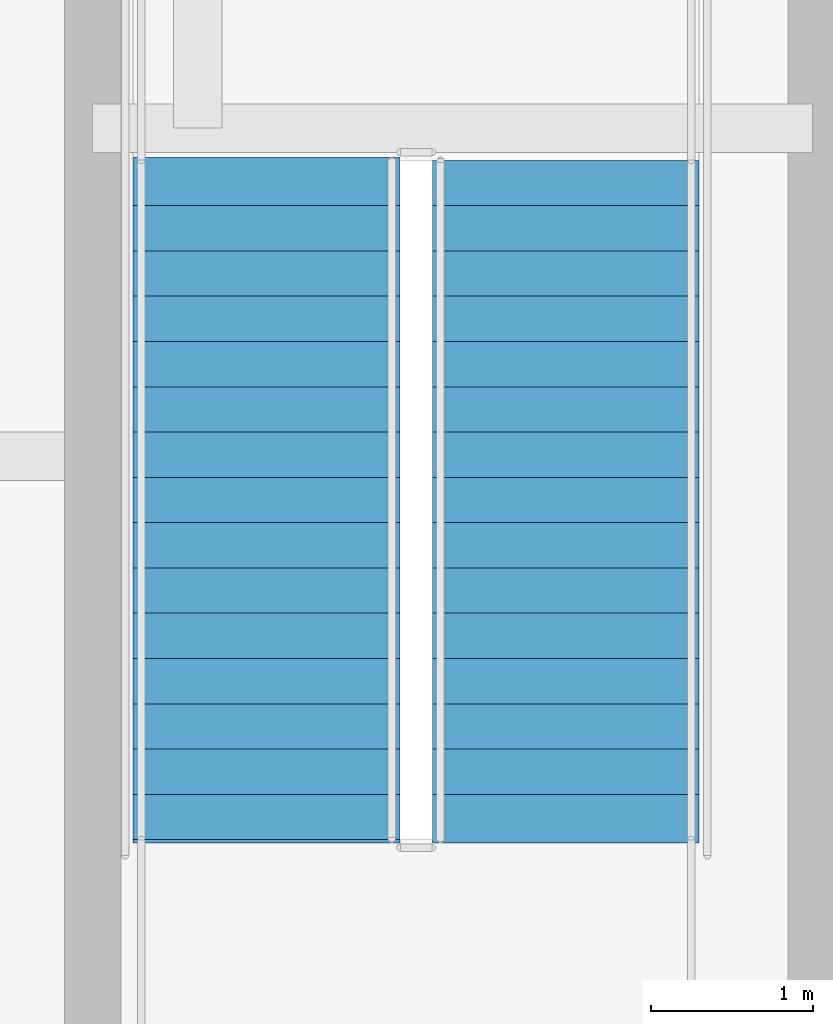
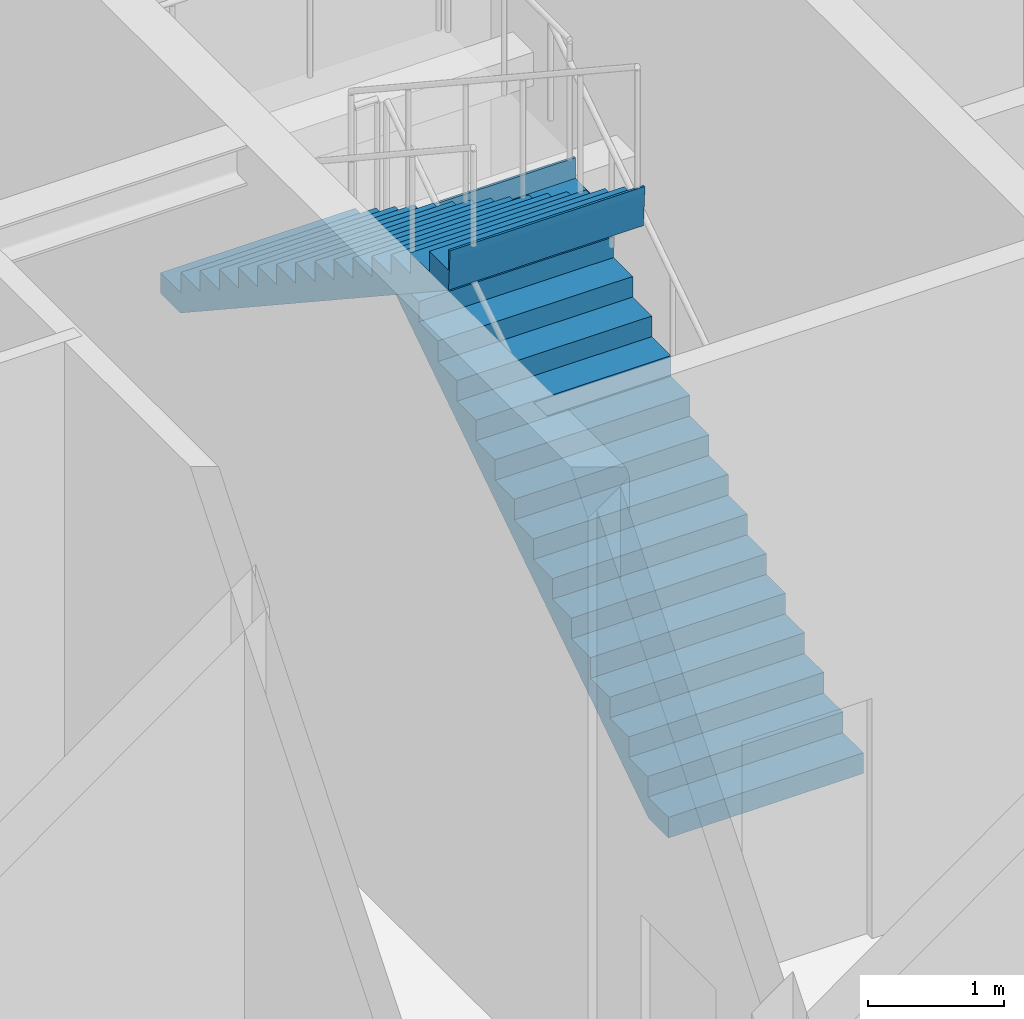
# One storey, part 32 of 38: 2 stair flights, 1 element without a shape of its own.
"""IFC4 building model written with IfcOpenShell, lengths in metres."""

from ifc_helpers import new_model, si_unit, direction, frame, origin, place, context, subcontext, project, spatial, polygons, material, type_object, element, aggregate, save


model = new_model("IFC4")

# Units and contexts
model_context = context("Model", 3, precision=1e-05, world=origin(), true_north=direction((0.0, 1.0)))
body_context = subcontext(model_context, "Body", "Model", "MODEL_VIEW")
ifc_project = project(units=[si_unit("LENGTHUNIT", "METRE"), si_unit("AREAUNIT", "SQUARE_METRE"), si_unit("VOLUMEUNIT", "CUBIC_METRE"), si_unit("PLANEANGLEUNIT", "RADIAN"), si_unit("MASSUNIT", "GRAM", prefix="KILO")], contexts=[model_context])

# Site, building, storey
site_placement = place(None, origin())
site = spatial("IfcSite", under=ifc_project, at=site_placement, CompositionType="ELEMENT")
building_placement = place(site_placement, origin())
building = spatial("IfcBuilding", under=site, at=building_placement, Name="Serunith Strait Residences", CompositionType="ELEMENT")
storey_placement = place(building_placement, frame((0.0, 0.0, 342.050048828125)))
storey = spatial("IfcBuildingStorey", under=building, at=storey_placement, Name="L85", CompositionType="ELEMENT", Elevation=342.050048828125)

# Stair, stair flights
ifc_material = material(Name="Concrete C50/60", Category="concrete")
stair_type = type_object("IfcStairType", Name="STR-CORE-1", PredefinedType="HALF_TURN_STAIR", material=ifc_material)
stair_placement = place(storey_placement, origin())
stair = element("IfcStair", 1, at=stair_placement, inside=storey, type_object=stair_type, Name="L85 Protected Escape Stair ST-1", PredefinedType="HALF_TURN_STAIR")
stair_flight_type = type_object("IfcStairFlightType", Name="FLT-CORE-1", PredefinedType="STRAIGHT", material=ifc_material)
stair_flight_1_placement = place(storey_placement, frame((26.324951171875, 27.030029296875, 0.0), z_axis=(0.0, 0.0, 1.0), x_axis=(0.0, 1.0, 0.0)))
stair_flight_1 = element("IfcStairFlight", 2, at=stair_flight_1_placement, type_object=stair_flight_type, Name="ST-1 flight 1", NumberOfRisers=16, NumberOfTreads=15, PredefinedType="STRAIGHT", RiserHeight=0.184375, TreadLength=0.28, context=body_context, shape_type="Tessellation", body=[
    polygons([(-0.02001953125, -0.824951171875, 0.0), (-0.02001953125, -0.824951171875, 0.184326171875), (0.280029296875, -0.824951171875, 0.184326171875), (0.280029296875, -0.824951171875, 0.36865234375), (0.56005859375, -0.824951171875, 0.36865234375), (0.56005859375, -0.824951171875, 0.55322265625), (0.840087890625, -0.824951171875, 0.55322265625), (0.840087890625, -0.824951171875, 0.737548828125), (1.1201171875, -0.824951171875, 0.737548828125), (1.1201171875, -0.824951171875, 0.921875), (1.39990234375, -0.824951171875, 0.921875), (1.39990234375, -0.824951171875, 1.106201171875), (1.679931640625, -0.824951171875, 1.106201171875), (1.679931640625, -0.824951171875, 1.29052734375), (1.9599609375, -0.824951171875, 1.29052734375), (1.9599609375, -0.824951171875, 1.47509765625), (2.239990234375, -0.824951171875, 1.47509765625), (2.239990234375, -0.824951171875, 1.659423828125), (2.52001953125, -0.824951171875, 1.659423828125), (2.52001953125, -0.824951171875, 1.84375), (2.800048828125, -0.824951171875, 1.84375), (2.800048828125, -0.824951171875, 2.028076171875), (3.080078125, -0.824951171875, 2.028076171875), (3.080078125, -0.824951171875, 2.21240234375), (3.360107421875, -0.824951171875, 2.21240234375), (3.360107421875, -0.824951171875, 2.39697265625), (3.639892578125, -0.824951171875, 2.39697265625), (3.639892578125, -0.824951171875, 2.581298828125), (3.919921875, -0.824951171875, 2.581298828125), (3.919921875, -0.824951171875, 2.765625), (4.199951171875, -0.824951171875, 2.765625), (4.199951171875, -0.824951171875, 2.949951171875), (4.219970703125, -0.824951171875, 2.949951171875), (4.219970703125, -0.824951171875, 2.889892578125), (4.199951171875, -0.824951171875, 2.586181640625), (0.2724609375, -0.824951171875, 0.0), (-0.02001953125, -0.41259765625, 0.0), (-0.02001953125, -0.41259765625, 0.184326171875), (0.280029296875, -0.41259765625, 0.184326171875), (0.280029296875, -0.41259765625, 0.36865234375), (0.56005859375, -0.41259765625, 0.36865234375), (0.56005859375, -0.41259765625, 0.55322265625), (0.840087890625, -0.41259765625, 0.55322265625), (0.840087890625, -0.41259765625, 0.737548828125), (1.1201171875, -0.41259765625, 0.737548828125), (1.1201171875, -0.41259765625, 0.921875), (1.39990234375, -0.41259765625, 0.921875), (1.39990234375, -0.41259765625, 1.106201171875), (1.679931640625, -0.41259765625, 1.106201171875), (1.679931640625, -0.41259765625, 1.29052734375), (1.9599609375, -0.41259765625, 1.29052734375), (1.9599609375, -0.41259765625, 1.47509765625), (2.239990234375, -0.41259765625, 1.47509765625), (2.239990234375, -0.41259765625, 1.659423828125), (2.52001953125, -0.41259765625, 1.659423828125), (2.52001953125, -0.41259765625, 1.84375), (2.800048828125, -0.41259765625, 1.84375), (2.800048828125, -0.41259765625, 2.028076171875), (3.080078125, -0.41259765625, 2.028076171875), (3.080078125, -0.41259765625, 2.21240234375), (3.360107421875, -0.41259765625, 2.21240234375), (3.360107421875, -0.41259765625, 2.39697265625), (3.639892578125, -0.41259765625, 2.39697265625), (3.639892578125, -0.41259765625, 2.581298828125), (3.919921875, -0.41259765625, 2.581298828125), (3.919921875, -0.41259765625, 2.765625), (4.199951171875, -0.41259765625, 2.765625), (4.199951171875, -0.41259765625, 2.949951171875), (4.219970703125, -0.41259765625, 2.949951171875), (4.219970703125, -0.41259765625, 2.889892578125), (4.199951171875, -0.41259765625, 2.586181640625), (0.2724609375, -0.41259765625, 0.0), (-0.02001953125, 0.0, 0.0), (-0.02001953125, 0.0, 0.184326171875), (0.280029296875, 0.0, 0.184326171875), (0.280029296875, 0.0, 0.36865234375), (0.56005859375, 0.0, 0.36865234375), (0.56005859375, 0.0, 0.55322265625), (0.840087890625, 0.0, 0.55322265625), (0.840087890625, 0.0, 0.737548828125), (1.1201171875, 0.0, 0.737548828125), (1.1201171875, 0.0, 0.921875), (1.39990234375, 0.0, 0.921875), (1.39990234375, 0.0, 1.106201171875), (1.679931640625, 0.0, 1.106201171875), (1.679931640625, 0.0, 1.29052734375), (1.9599609375, 0.0, 1.29052734375), (1.9599609375, 0.0, 1.47509765625), (2.239990234375, 0.0, 1.47509765625), (2.239990234375, 0.0, 1.659423828125), (2.52001953125, 0.0, 1.659423828125), (2.52001953125, 0.0, 1.84375), (2.800048828125, 0.0, 1.84375), (2.800048828125, 0.0, 2.028076171875), (3.080078125, 0.0, 2.028076171875), (3.080078125, 0.0, 2.21240234375), (3.360107421875, 0.0, 2.21240234375), (3.360107421875, 0.0, 2.39697265625), (3.639892578125, 0.0, 2.39697265625), (3.639892578125, 0.0, 2.581298828125), (3.919921875, 0.0, 2.581298828125), (3.919921875, 0.0, 2.765625), (4.199951171875, 0.0, 2.765625), (4.199951171875, 0.0, 2.949951171875), (4.219970703125, 0.0, 2.949951171875), (4.219970703125, 0.0, 2.889892578125), (4.199951171875, 0.0, 2.586181640625), (0.2724609375, 0.0, 0.0), (-0.02001953125, 0.41259765625, 0.0), (-0.02001953125, 0.41259765625, 0.184326171875), (0.280029296875, 0.41259765625, 0.184326171875), (0.280029296875, 0.41259765625, 0.36865234375), (0.56005859375, 0.41259765625, 0.36865234375), (0.56005859375, 0.41259765625, 0.55322265625), (0.840087890625, 0.41259765625, 0.55322265625), (0.840087890625, 0.41259765625, 0.737548828125), (1.1201171875, 0.41259765625, 0.737548828125), (1.1201171875, 0.41259765625, 0.921875), (1.39990234375, 0.41259765625, 0.921875), (1.39990234375, 0.41259765625, 1.106201171875), (1.679931640625, 0.41259765625, 1.106201171875), (1.679931640625, 0.41259765625, 1.29052734375), (1.9599609375, 0.41259765625, 1.29052734375), (1.9599609375, 0.41259765625, 1.47509765625), (2.239990234375, 0.41259765625, 1.47509765625), (2.239990234375, 0.41259765625, 1.659423828125), (2.52001953125, 0.41259765625, 1.659423828125), (2.52001953125, 0.41259765625, 1.84375), (2.800048828125, 0.41259765625, 1.84375), (2.800048828125, 0.41259765625, 2.028076171875), (3.080078125, 0.41259765625, 2.028076171875), (3.080078125, 0.41259765625, 2.21240234375), (3.360107421875, 0.41259765625, 2.21240234375), (3.360107421875, 0.41259765625, 2.39697265625), (3.639892578125, 0.41259765625, 2.39697265625), (3.639892578125, 0.41259765625, 2.581298828125), (3.919921875, 0.41259765625, 2.581298828125), (3.919921875, 0.41259765625, 2.765625), (4.199951171875, 0.41259765625, 2.765625), (4.199951171875, 0.41259765625, 2.949951171875), (4.219970703125, 0.41259765625, 2.949951171875), (4.219970703125, 0.41259765625, 2.889892578125), (4.199951171875, 0.41259765625, 2.586181640625), (0.2724609375, 0.41259765625, 0.0), (-0.02001953125, 0.824951171875, 0.0), (-0.02001953125, 0.824951171875, 0.184326171875), (0.280029296875, 0.824951171875, 0.184326171875), (0.280029296875, 0.824951171875, 0.36865234375), (0.56005859375, 0.824951171875, 0.36865234375), (0.56005859375, 0.824951171875, 0.55322265625), (0.840087890625, 0.824951171875, 0.55322265625), (0.840087890625, 0.824951171875, 0.737548828125), (1.1201171875, 0.824951171875, 0.737548828125), (1.1201171875, 0.824951171875, 0.921875), (1.39990234375, 0.824951171875, 0.921875), (1.39990234375, 0.824951171875, 1.106201171875), (1.679931640625, 0.824951171875, 1.106201171875), (1.679931640625, 0.824951171875, 1.29052734375), (1.9599609375, 0.824951171875, 1.29052734375), (1.9599609375, 0.824951171875, 1.47509765625), (2.239990234375, 0.824951171875, 1.47509765625), (2.239990234375, 0.824951171875, 1.659423828125), (2.52001953125, 0.824951171875, 1.659423828125), (2.52001953125, 0.824951171875, 1.84375), (2.800048828125, 0.824951171875, 1.84375), (2.800048828125, 0.824951171875, 2.028076171875), (3.080078125, 0.824951171875, 2.028076171875), (3.080078125, 0.824951171875, 2.21240234375), (3.360107421875, 0.824951171875, 2.21240234375), (3.360107421875, 0.824951171875, 2.39697265625), (3.639892578125, 0.824951171875, 2.39697265625), (3.639892578125, 0.824951171875, 2.581298828125), (3.919921875, 0.824951171875, 2.581298828125), (3.919921875, 0.824951171875, 2.765625), (4.199951171875, 0.824951171875, 2.765625), (4.199951171875, 0.824951171875, 2.949951171875), (4.219970703125, 0.824951171875, 2.949951171875), (4.219970703125, 0.824951171875, 2.889892578125), (4.199951171875, 0.824951171875, 2.586181640625), (0.2724609375, 0.824951171875, 0.0)], [[[1, 2, 38, 37]], [[2, 3, 39, 38]], [[3, 4, 40, 39]], [[4, 5, 41, 40]], [[5, 6, 42, 41]], [[6, 7, 43, 42]], [[7, 8, 44, 43]], [[8, 9, 45, 44]], [[9, 10, 46, 45]], [[10, 11, 47, 46]], [[11, 12, 48, 47]], [[12, 13, 49, 48]], [[13, 14, 50, 49]], [[14, 15, 51, 50]], [[15, 16, 52, 51]], [[16, 17, 53, 52]], [[17, 18, 54, 53]], [[18, 19, 55, 54]], [[19, 20, 56, 55]], [[20, 21, 57, 56]], [[21, 22, 58, 57]], [[22, 23, 59, 58]], [[23, 24, 60, 59]], [[24, 25, 61, 60]], [[25, 26, 62, 61]], [[26, 27, 63, 62]], [[27, 28, 64, 63]], [[28, 29, 65, 64]], [[29, 30, 66, 65]], [[30, 31, 67, 66]], [[31, 32, 68, 67]], [[32, 33, 69, 68]], [[33, 34, 70, 69]], [[34, 35, 71, 70]], [[35, 36, 72, 71]], [[36, 1, 37, 72]], [[37, 38, 74, 73]], [[38, 39, 75, 74]], [[39, 40, 76, 75]], [[40, 41, 77, 76]], [[41, 42, 78, 77]], [[42, 43, 79, 78]], [[43, 44, 80, 79]], [[44, 45, 81, 80]], [[45, 46, 82, 81]], [[46, 47, 83, 82]], [[47, 48, 84, 83]], [[48, 49, 85, 84]], [[49, 50, 86, 85]], [[50, 51, 87, 86]], [[51, 52, 88, 87]], [[52, 53, 89, 88]], [[53, 54, 90, 89]], [[54, 55, 91, 90]], [[55, 56, 92, 91]], [[56, 57, 93, 92]], [[57, 58, 94, 93]], [[58, 59, 95, 94]], [[59, 60, 96, 95]], [[60, 61, 97, 96]], [[61, 62, 98, 97]], [[62, 63, 99, 98]], [[63, 64, 100, 99]], [[64, 65, 101, 100]], [[65, 66, 102, 101]], [[66, 67, 103, 102]], [[67, 68, 104, 103]], [[68, 69, 105, 104]], [[69, 70, 106, 105]], [[70, 71, 107, 106]], [[71, 72, 108, 107]], [[72, 37, 73, 108]], [[73, 74, 110, 109]], [[74, 75, 111, 110]], [[75, 76, 112, 111]], [[76, 77, 113, 112]], [[77, 78, 114, 113]], [[78, 79, 115, 114]], [[79, 80, 116, 115]], [[80, 81, 117, 116]], [[81, 82, 118, 117]], [[82, 83, 119, 118]], [[83, 84, 120, 119]], [[84, 85, 121, 120]], [[85, 86, 122, 121]], [[86, 87, 123, 122]], [[87, 88, 124, 123]], [[88, 89, 125, 124]], [[89, 90, 126, 125]], [[90, 91, 127, 126]], [[91, 92, 128, 127]], [[92, 93, 129, 128]], [[93, 94, 130, 129]], [[94, 95, 131, 130]], [[95, 96, 132, 131]], [[96, 97, 133, 132]], [[97, 98, 134, 133]], [[98, 99, 135, 134]], [[99, 100, 136, 135]], [[100, 101, 137, 136]], [[101, 102, 138, 137]], [[102, 103, 139, 138]], [[103, 104, 140, 139]], [[104, 105, 141, 140]], [[105, 106, 142, 141]], [[106, 107, 143, 142]], [[107, 108, 144, 143]], [[108, 73, 109, 144]], [[109, 110, 146, 145]], [[110, 111, 147, 146]], [[111, 112, 148, 147]], [[112, 113, 149, 148]], [[113, 114, 150, 149]], [[114, 115, 151, 150]], [[115, 116, 152, 151]], [[116, 117, 153, 152]], [[117, 118, 154, 153]], [[118, 119, 155, 154]], [[119, 120, 156, 155]], [[120, 121, 157, 156]], [[121, 122, 158, 157]], [[122, 123, 159, 158]], [[123, 124, 160, 159]], [[124, 125, 161, 160]], [[125, 126, 162, 161]], [[126, 127, 163, 162]], [[127, 128, 164, 163]], [[128, 129, 165, 164]], [[129, 130, 166, 165]], [[130, 131, 167, 166]], [[131, 132, 168, 167]], [[132, 133, 169, 168]], [[133, 134, 170, 169]], [[134, 135, 171, 170]], [[135, 136, 172, 171]], [[136, 137, 173, 172]], [[137, 138, 174, 173]], [[138, 139, 175, 174]], [[139, 140, 176, 175]], [[140, 141, 177, 176]], [[141, 142, 178, 177]], [[142, 143, 179, 178]], [[143, 144, 180, 179]], [[144, 109, 145, 180]], [[36, 35, 34, 33, 32, 31, 30, 29, 28, 27, 26, 25, 24, 23, 22, 21, 20, 19, 18, 17, 16, 15, 14, 13, 12, 11, 10, 9, 8, 7, 6, 5, 4, 3, 2, 1]], [[145, 146, 147, 148, 149, 150, 151, 152, 153, 154, 155, 156, 157, 158, 159, 160, 161, 162, 163, 164, 165, 166, 167, 168, 169, 170, 171, 172, 173, 174, 175, 176, 177, 178, 179, 180]]], closed=True),
])
stair_flight_2_placement = place(storey_placement, frame((24.47509765625, 31.22998046875, 2.949951171875), z_axis=(0.0, 0.0, 1.0), x_axis=(0.0, -1.0, 0.0)))
stair_flight_2 = element("IfcStairFlight", 3, at=stair_flight_2_placement, type_object=stair_flight_type, Name="ST-1 flight 2", NumberOfRisers=16, NumberOfTreads=15, PredefinedType="STRAIGHT", RiserHeight=0.184375, TreadLength=0.28, context=body_context, shape_type="Tessellation", body=[
    polygons([(-0.02001953125, -0.824951171875, 0.0), (-0.02001953125, -0.824951171875, 0.184326171875), (0.280029296875, -0.824951171875, 0.184326171875), (0.280029296875, -0.824951171875, 0.36865234375), (0.56005859375, -0.824951171875, 0.36865234375), (0.56005859375, -0.824951171875, 0.55322265625), (0.840087890625, -0.824951171875, 0.55322265625), (0.840087890625, -0.824951171875, 0.737548828125), (1.1201171875, -0.824951171875, 0.737548828125), (1.1201171875, -0.824951171875, 0.921875), (1.39990234375, -0.824951171875, 0.921875), (1.39990234375, -0.824951171875, 1.106201171875), (1.679931640625, -0.824951171875, 1.106201171875), (1.679931640625, -0.824951171875, 1.29052734375), (1.9599609375, -0.824951171875, 1.29052734375), (1.9599609375, -0.824951171875, 1.47509765625), (2.239990234375, -0.824951171875, 1.47509765625), (2.239990234375, -0.824951171875, 1.659423828125), (2.52001953125, -0.824951171875, 1.659423828125), (2.52001953125, -0.824951171875, 1.84375), (2.800048828125, -0.824951171875, 1.84375), (2.800048828125, -0.824951171875, 2.028076171875), (3.080078125, -0.824951171875, 2.028076171875), (3.080078125, -0.824951171875, 2.21240234375), (3.360107421875, -0.824951171875, 2.21240234375), (3.360107421875, -0.824951171875, 2.39697265625), (3.639892578125, -0.824951171875, 2.39697265625), (3.639892578125, -0.824951171875, 2.581298828125), (3.919921875, -0.824951171875, 2.581298828125), (3.919921875, -0.824951171875, 2.765625), (4.199951171875, -0.824951171875, 2.765625), (4.199951171875, -0.824951171875, 2.949951171875), (4.219970703125, -0.824951171875, 2.949951171875), (4.219970703125, -0.824951171875, 2.889892578125), (4.199951171875, -0.824951171875, 2.586181640625), (0.2724609375, -0.824951171875, 0.0), (-0.02001953125, -0.41259765625, 0.0), (-0.02001953125, -0.41259765625, 0.184326171875), (0.280029296875, -0.41259765625, 0.184326171875), (0.280029296875, -0.41259765625, 0.36865234375), (0.56005859375, -0.41259765625, 0.36865234375), (0.56005859375, -0.41259765625, 0.55322265625), (0.840087890625, -0.41259765625, 0.55322265625), (0.840087890625, -0.41259765625, 0.737548828125), (1.1201171875, -0.41259765625, 0.737548828125), (1.1201171875, -0.41259765625, 0.921875), (1.39990234375, -0.41259765625, 0.921875), (1.39990234375, -0.41259765625, 1.106201171875), (1.679931640625, -0.41259765625, 1.106201171875), (1.679931640625, -0.41259765625, 1.29052734375), (1.9599609375, -0.41259765625, 1.29052734375), (1.9599609375, -0.41259765625, 1.47509765625), (2.239990234375, -0.41259765625, 1.47509765625), (2.239990234375, -0.41259765625, 1.659423828125), (2.52001953125, -0.41259765625, 1.659423828125), (2.52001953125, -0.41259765625, 1.84375), (2.800048828125, -0.41259765625, 1.84375), (2.800048828125, -0.41259765625, 2.028076171875), (3.080078125, -0.41259765625, 2.028076171875), (3.080078125, -0.41259765625, 2.21240234375), (3.360107421875, -0.41259765625, 2.21240234375), (3.360107421875, -0.41259765625, 2.39697265625), (3.639892578125, -0.41259765625, 2.39697265625), (3.639892578125, -0.41259765625, 2.581298828125), (3.919921875, -0.41259765625, 2.581298828125), (3.919921875, -0.41259765625, 2.765625), (4.199951171875, -0.41259765625, 2.765625), (4.199951171875, -0.41259765625, 2.949951171875), (4.219970703125, -0.41259765625, 2.949951171875), (4.219970703125, -0.41259765625, 2.889892578125), (4.199951171875, -0.41259765625, 2.586181640625), (0.2724609375, -0.41259765625, 0.0), (-0.02001953125, 0.0, 0.0), (-0.02001953125, 0.0, 0.184326171875), (0.280029296875, 0.0, 0.184326171875), (0.280029296875, 0.0, 0.36865234375), (0.56005859375, 0.0, 0.36865234375), (0.56005859375, 0.0, 0.55322265625), (0.840087890625, 0.0, 0.55322265625), (0.840087890625, 0.0, 0.737548828125), (1.1201171875, 0.0, 0.737548828125), (1.1201171875, 0.0, 0.921875), (1.39990234375, 0.0, 0.921875), (1.39990234375, 0.0, 1.106201171875), (1.679931640625, 0.0, 1.106201171875), (1.679931640625, 0.0, 1.29052734375), (1.9599609375, 0.0, 1.29052734375), (1.9599609375, 0.0, 1.47509765625), (2.239990234375, 0.0, 1.47509765625), (2.239990234375, 0.0, 1.659423828125), (2.52001953125, 0.0, 1.659423828125), (2.52001953125, 0.0, 1.84375), (2.800048828125, 0.0, 1.84375), (2.800048828125, 0.0, 2.028076171875), (3.080078125, 0.0, 2.028076171875), (3.080078125, 0.0, 2.21240234375), (3.360107421875, 0.0, 2.21240234375), (3.360107421875, 0.0, 2.39697265625), (3.639892578125, 0.0, 2.39697265625), (3.639892578125, 0.0, 2.581298828125), (3.919921875, 0.0, 2.581298828125), (3.919921875, 0.0, 2.765625), (4.199951171875, 0.0, 2.765625), (4.199951171875, 0.0, 2.949951171875), (4.219970703125, 0.0, 2.949951171875), (4.219970703125, 0.0, 2.889892578125), (4.199951171875, 0.0, 2.586181640625), (0.2724609375, 0.0, 0.0), (-0.02001953125, 0.41259765625, 0.0), (-0.02001953125, 0.41259765625, 0.184326171875), (0.280029296875, 0.41259765625, 0.184326171875), (0.280029296875, 0.41259765625, 0.36865234375), (0.56005859375, 0.41259765625, 0.36865234375), (0.56005859375, 0.41259765625, 0.55322265625), (0.840087890625, 0.41259765625, 0.55322265625), (0.840087890625, 0.41259765625, 0.737548828125), (1.1201171875, 0.41259765625, 0.737548828125), (1.1201171875, 0.41259765625, 0.921875), (1.39990234375, 0.41259765625, 0.921875), (1.39990234375, 0.41259765625, 1.106201171875), (1.679931640625, 0.41259765625, 1.106201171875), (1.679931640625, 0.41259765625, 1.29052734375), (1.9599609375, 0.41259765625, 1.29052734375), (1.9599609375, 0.41259765625, 1.47509765625), (2.239990234375, 0.41259765625, 1.47509765625), (2.239990234375, 0.41259765625, 1.659423828125), (2.52001953125, 0.41259765625, 1.659423828125), (2.52001953125, 0.41259765625, 1.84375), (2.800048828125, 0.41259765625, 1.84375), (2.800048828125, 0.41259765625, 2.028076171875), (3.080078125, 0.41259765625, 2.028076171875), (3.080078125, 0.41259765625, 2.21240234375), (3.360107421875, 0.41259765625, 2.21240234375), (3.360107421875, 0.41259765625, 2.39697265625), (3.639892578125, 0.41259765625, 2.39697265625), (3.639892578125, 0.41259765625, 2.581298828125), (3.919921875, 0.41259765625, 2.581298828125), (3.919921875, 0.41259765625, 2.765625), (4.199951171875, 0.41259765625, 2.765625), (4.199951171875, 0.41259765625, 2.949951171875), (4.219970703125, 0.41259765625, 2.949951171875), (4.219970703125, 0.41259765625, 2.889892578125), (4.199951171875, 0.41259765625, 2.586181640625), (0.2724609375, 0.41259765625, 0.0), (-0.02001953125, 0.824951171875, 0.0), (-0.02001953125, 0.824951171875, 0.184326171875), (0.280029296875, 0.824951171875, 0.184326171875), (0.280029296875, 0.824951171875, 0.36865234375), (0.56005859375, 0.824951171875, 0.36865234375), (0.56005859375, 0.824951171875, 0.55322265625), (0.840087890625, 0.824951171875, 0.55322265625), (0.840087890625, 0.824951171875, 0.737548828125), (1.1201171875, 0.824951171875, 0.737548828125), (1.1201171875, 0.824951171875, 0.921875), (1.39990234375, 0.824951171875, 0.921875), (1.39990234375, 0.824951171875, 1.106201171875), (1.679931640625, 0.824951171875, 1.106201171875), (1.679931640625, 0.824951171875, 1.29052734375), (1.9599609375, 0.824951171875, 1.29052734375), (1.9599609375, 0.824951171875, 1.47509765625), (2.239990234375, 0.824951171875, 1.47509765625), (2.239990234375, 0.824951171875, 1.659423828125), (2.52001953125, 0.824951171875, 1.659423828125), (2.52001953125, 0.824951171875, 1.84375), (2.800048828125, 0.824951171875, 1.84375), (2.800048828125, 0.824951171875, 2.028076171875), (3.080078125, 0.824951171875, 2.028076171875), (3.080078125, 0.824951171875, 2.21240234375), (3.360107421875, 0.824951171875, 2.21240234375), (3.360107421875, 0.824951171875, 2.39697265625), (3.639892578125, 0.824951171875, 2.39697265625), (3.639892578125, 0.824951171875, 2.581298828125), (3.919921875, 0.824951171875, 2.581298828125), (3.919921875, 0.824951171875, 2.765625), (4.199951171875, 0.824951171875, 2.765625), (4.199951171875, 0.824951171875, 2.949951171875), (4.219970703125, 0.824951171875, 2.949951171875), (4.219970703125, 0.824951171875, 2.889892578125), (4.199951171875, 0.824951171875, 2.586181640625), (0.2724609375, 0.824951171875, 0.0)], [[[1, 2, 38, 37]], [[2, 3, 39, 38]], [[3, 4, 40, 39]], [[4, 5, 41, 40]], [[5, 6, 42, 41]], [[6, 7, 43, 42]], [[7, 8, 44, 43]], [[8, 9, 45, 44]], [[9, 10, 46, 45]], [[10, 11, 47, 46]], [[11, 12, 48, 47]], [[12, 13, 49, 48]], [[13, 14, 50, 49]], [[14, 15, 51, 50]], [[15, 16, 52, 51]], [[16, 17, 53, 52]], [[17, 18, 54, 53]], [[18, 19, 55, 54]], [[19, 20, 56, 55]], [[20, 21, 57, 56]], [[21, 22, 58, 57]], [[22, 23, 59, 58]], [[23, 24, 60, 59]], [[24, 25, 61, 60]], [[25, 26, 62, 61]], [[26, 27, 63, 62]], [[27, 28, 64, 63]], [[28, 29, 65, 64]], [[29, 30, 66, 65]], [[30, 31, 67, 66]], [[31, 32, 68, 67]], [[32, 33, 69, 68]], [[33, 34, 70, 69]], [[34, 35, 71, 70]], [[35, 36, 72, 71]], [[36, 1, 37, 72]], [[37, 38, 74, 73]], [[38, 39, 75, 74]], [[39, 40, 76, 75]], [[40, 41, 77, 76]], [[41, 42, 78, 77]], [[42, 43, 79, 78]], [[43, 44, 80, 79]], [[44, 45, 81, 80]], [[45, 46, 82, 81]], [[46, 47, 83, 82]], [[47, 48, 84, 83]], [[48, 49, 85, 84]], [[49, 50, 86, 85]], [[50, 51, 87, 86]], [[51, 52, 88, 87]], [[52, 53, 89, 88]], [[53, 54, 90, 89]], [[54, 55, 91, 90]], [[55, 56, 92, 91]], [[56, 57, 93, 92]], [[57, 58, 94, 93]], [[58, 59, 95, 94]], [[59, 60, 96, 95]], [[60, 61, 97, 96]], [[61, 62, 98, 97]], [[62, 63, 99, 98]], [[63, 64, 100, 99]], [[64, 65, 101, 100]], [[65, 66, 102, 101]], [[66, 67, 103, 102]], [[67, 68, 104, 103]], [[68, 69, 105, 104]], [[69, 70, 106, 105]], [[70, 71, 107, 106]], [[71, 72, 108, 107]], [[72, 37, 73, 108]], [[73, 74, 110, 109]], [[74, 75, 111, 110]], [[75, 76, 112, 111]], [[76, 77, 113, 112]], [[77, 78, 114, 113]], [[78, 79, 115, 114]], [[79, 80, 116, 115]], [[80, 81, 117, 116]], [[81, 82, 118, 117]], [[82, 83, 119, 118]], [[83, 84, 120, 119]], [[84, 85, 121, 120]], [[85, 86, 122, 121]], [[86, 87, 123, 122]], [[87, 88, 124, 123]], [[88, 89, 125, 124]], [[89, 90, 126, 125]], [[90, 91, 127, 126]], [[91, 92, 128, 127]], [[92, 93, 129, 128]], [[93, 94, 130, 129]], [[94, 95, 131, 130]], [[95, 96, 132, 131]], [[96, 97, 133, 132]], [[97, 98, 134, 133]], [[98, 99, 135, 134]], [[99, 100, 136, 135]], [[100, 101, 137, 136]], [[101, 102, 138, 137]], [[102, 103, 139, 138]], [[103, 104, 140, 139]], [[104, 105, 141, 140]], [[105, 106, 142, 141]], [[106, 107, 143, 142]], [[107, 108, 144, 143]], [[108, 73, 109, 144]], [[109, 110, 146, 145]], [[110, 111, 147, 146]], [[111, 112, 148, 147]], [[112, 113, 149, 148]], [[113, 114, 150, 149]], [[114, 115, 151, 150]], [[115, 116, 152, 151]], [[116, 117, 153, 152]], [[117, 118, 154, 153]], [[118, 119, 155, 154]], [[119, 120, 156, 155]], [[120, 121, 157, 156]], [[121, 122, 158, 157]], [[122, 123, 159, 158]], [[123, 124, 160, 159]], [[124, 125, 161, 160]], [[125, 126, 162, 161]], [[126, 127, 163, 162]], [[127, 128, 164, 163]], [[128, 129, 165, 164]], [[129, 130, 166, 165]], [[130, 131, 167, 166]], [[131, 132, 168, 167]], [[132, 133, 169, 168]], [[133, 134, 170, 169]], [[134, 135, 171, 170]], [[135, 136, 172, 171]], [[136, 137, 173, 172]], [[137, 138, 174, 173]], [[138, 139, 175, 174]], [[139, 140, 176, 175]], [[140, 141, 177, 176]], [[141, 142, 178, 177]], [[142, 143, 179, 178]], [[143, 144, 180, 179]], [[144, 109, 145, 180]], [[36, 35, 34, 33, 32, 31, 30, 29, 28, 27, 26, 25, 24, 23, 22, 21, 20, 19, 18, 17, 16, 15, 14, 13, 12, 11, 10, 9, 8, 7, 6, 5, 4, 3, 2, 1]], [[145, 146, 147, 148, 149, 150, 151, 152, 153, 154, 155, 156, 157, 158, 159, 160, 161, 162, 163, 164, 165, 166, 167, 168, 169, 170, 171, 172, 173, 174, 175, 176, 177, 178, 179, 180]]], closed=True),
])
aggregate(stair, [stair_flight_1, stair_flight_2])

save(model, "model.ifc")
